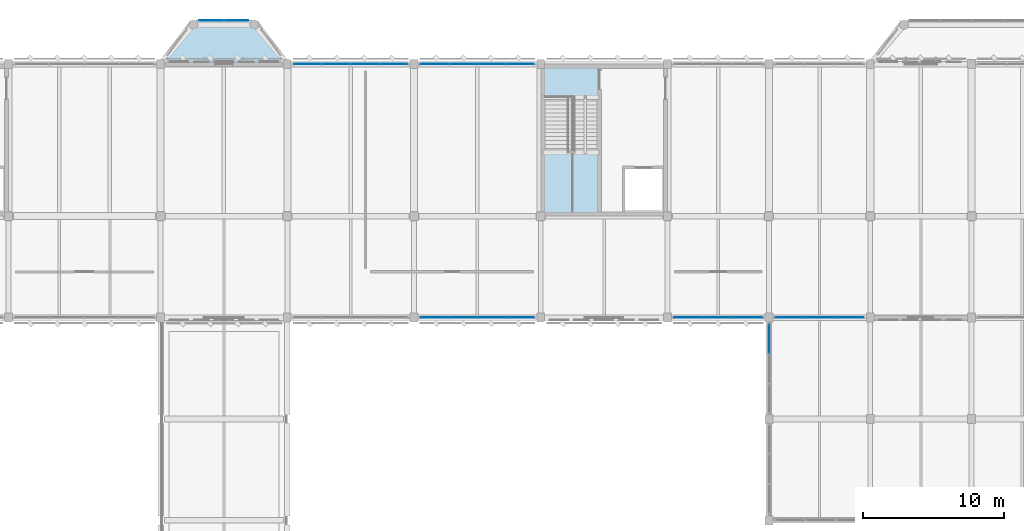
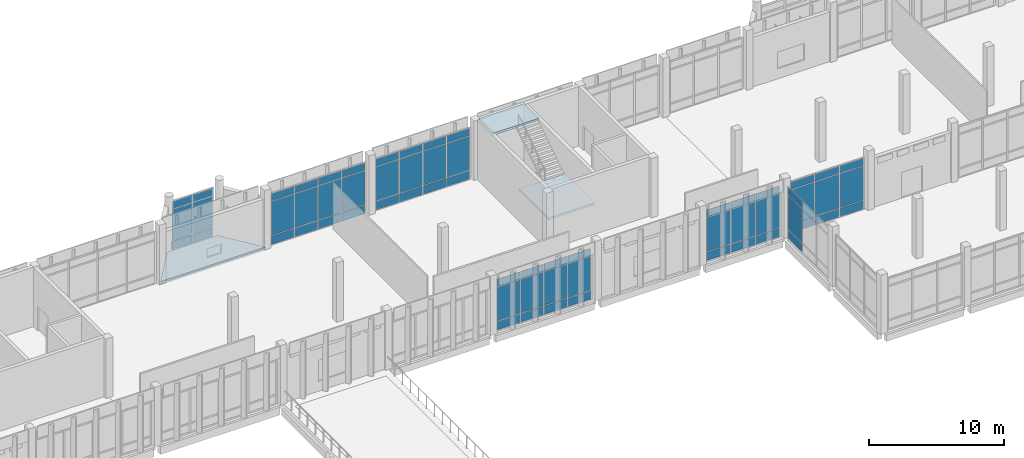
# One storey, part 147 of 180: 63 plates, 3 slabs, 8 elements without a shape of their own.
"""IFC4 building model written with IfcOpenShell, lengths in metres."""

import ifcopenshell
import ifcopenshell.guid

model = None  # the IFC model being written
_history = None  # IfcOwnerHistory: only IFC2X3 demands one
_inside = {}  # id of a spatial element -> (the spatial element, [elements in it])
_under = {}  # id of a project, library or spatial element -> (it, [spatial elements below it])
_declared = {}  # id of a project -> (the project, [libraries it declares])
_typed = {}  # id of a type object -> (the type object, [elements of that type])
_made_of = {}  # id of a material, layer set ... -> (it, [elements and type objects made of it])


def new_model(schema):
    """Start an empty IFC model of exactly this schema.

    Asked for "IFC4X3", IfcOpenShell would pick the latest addendum, in which some entities
    have other attributes; the version numbers below select the first issue.
    IFC2X3 requires an IfcOwnerHistory on every rooted entity: one is made here for all.
    """
    global model, _history
    if schema == "IFC4X3":
        model = ifcopenshell.file(schema_version=(4, 3, 0, 0))
    else:
        model = ifcopenshell.file(schema=schema)
    _inside.clear()
    _under.clear()
    _declared.clear()
    _typed.clear()
    _made_of.clear()
    _history = None
    if model.schema == "IFC2X3":
        org = make("IfcOrganization", Name="unknown")
        user = make(
            "IfcPersonAndOrganization",
            ThePerson=make("IfcPerson", FamilyName="unknown"),
            TheOrganization=org,
        )
        app = make(
            "IfcApplication",
            ApplicationDeveloper=org,
            Version="unknown",
            ApplicationFullName="unknown",
            ApplicationIdentifier="unknown",
        )
        _history = make(
            "IfcOwnerHistory",
            OwningUser=user,
            OwningApplication=app,
            ChangeAction="ADDED",
            CreationDate=0,
        )
    return model


def make(cls, **values):
    """One entity of the class cls with the attributes given. An attribute that is None is left unset."""
    return model.create_entity(
        cls, **{name: value for name, value in values.items() if value is not None}
    )


def rooted(cls, **values):
    """An entity with a GlobalId (a new one), such as an element, a storey or a relation."""
    return make(cls, GlobalId=ifcopenshell.guid.new(), OwnerHistory=_history, **values)


def si_unit(unit_type, name, prefix=None):
    """IfcSIUnit, for example si_unit("LENGTHUNIT", "METRE", prefix="MILLI")."""
    return make("IfcSIUnit", UnitType=unit_type, Prefix=prefix, Name=name)


def assignment(units):
    """IfcUnitAssignment: the units of a project."""
    return None if units is None else make("IfcUnitAssignment", Units=units)


def point(xyz):
    """IfcCartesianPoint."""
    return None if xyz is None else make("IfcCartesianPoint", Coordinates=xyz)


def direction(xyz):
    """IfcDirection."""
    return None if xyz is None else make("IfcDirection", DirectionRatios=xyz)


def frame(location, z_axis=None, x_axis=None):
    """IfcAxis2Placement3D, a coordinate frame: its origin and axes. An axis left out is left unset."""
    return make(
        "IfcAxis2Placement3D",
        Location=point(location),
        Axis=direction(z_axis),
        RefDirection=direction(x_axis),
    )


def frame_2d(location, x_axis=None):
    """IfcAxis2Placement2D, a coordinate frame in the plane: its origin and x axis."""
    return make(
        "IfcAxis2Placement2D", Location=point(location), RefDirection=direction(x_axis)
    )


def origin():
    """The frame at (0, 0, 0) with its axes left unset."""
    return frame((0.0, 0.0, 0.0))


def origin_2d():
    """The frame at (0, 0) in the plane with its x axis left unset."""
    return frame_2d((0.0, 0.0))


def place(relative_to, where):
    """IfcLocalPlacement: puts the frame where relative to a parent placement (None: the world)."""
    return make(
        "IfcLocalPlacement", PlacementRelTo=relative_to, RelativePlacement=where
    )


def context(
    kind, dimensions, precision=None, world=None, true_north=None, identifier=None
):
    """IfcGeometricRepresentationContext, for example the 3D "Model" context."""
    return make(
        "IfcGeometricRepresentationContext",
        ContextIdentifier=identifier,
        ContextType=kind,
        CoordinateSpaceDimension=dimensions,
        Precision=precision,
        WorldCoordinateSystem=world,
        TrueNorth=true_north,
    )


def subcontext(parent, identifier, kind, view, scale=None):
    """IfcGeometricRepresentationSubContext, for example "Body" below "Model"."""
    return make(
        "IfcGeometricRepresentationSubContext",
        ContextIdentifier=identifier,
        ContextType=kind,
        ParentContext=parent,
        TargetScale=scale,
        TargetView=view,
    )


def project(units=None, contexts=None):
    """IfcProject with its units and contexts."""
    return rooted(
        "IfcProject",
        Name="project",
        RepresentationContexts=contexts,
        UnitsInContext=assignment(units),
    )


def spatial(cls, under=None, at=None, **own):
    """A site, building, storey or space (cls), placed at a placement, below another one or the project."""
    s = rooted(cls, ObjectPlacement=at, **own)
    if under is not None:
        _under.setdefault(under.id(), (under, []))[1].append(s)
    return s


def polyline(points):
    """IfcPolyline through the points."""
    return make("IfcPolyline", Points=[point(p) for p in points])


def profile(cls, at=None, kind="AREA", **sizes):
    """A parametric profile (cls). Its sizes go by their IFC names, for example OverallWidth=200.0."""
    return make(cls, ProfileType=kind, Position=at, **sizes)


def rectangle(**sizes):
    """IfcRectangleProfileDef."""
    return profile("IfcRectangleProfileDef", **sizes)


def outline(outer, holes=None, kind="AREA"):
    """IfcArbitraryClosedProfileDef: a profile drawn as a closed curve; with holes, ...WithVoids."""
    if holes is None:
        return make("IfcArbitraryClosedProfileDef", ProfileType=kind, OuterCurve=outer)
    return make(
        "IfcArbitraryProfileDefWithVoids",
        ProfileType=kind,
        OuterCurve=outer,
        InnerCurves=holes,
    )


def extrude(swept, where, along, depth):
    """IfcExtrudedAreaSolid: the profile swept, set in the frame where, extruded along a direction by depth."""
    return make(
        "IfcExtrudedAreaSolid",
        SweptArea=swept,
        Position=where,
        ExtrudedDirection=direction(along),
        Depth=depth,
    )


def shape(context_of_items, identifier, shape_type, items):
    """IfcShapeRepresentation: the items that make up one representation, for example the "Body"."""
    return make(
        "IfcShapeRepresentation",
        ContextOfItems=context_of_items,
        RepresentationIdentifier=identifier,
        RepresentationType=shape_type,
        Items=items,
    )


def material(Name=None, Category=None):
    """IfcMaterial."""
    return make("IfcMaterial", Name=Name, Category=Category)


def layer(
    of_material, thickness, ventilated=None, Name=None, Category=None, Priority=None
):
    """IfcMaterialLayer: one layer of a wall or slab, of a material (None: an air gap)."""
    return make(
        "IfcMaterialLayer",
        Material=of_material,
        LayerThickness=thickness,
        IsVentilated=ventilated,
        Name=Name,
        Category=Category,
        Priority=Priority,
    )


def layer_set(layers, Name=None):
    """IfcMaterialLayerSet."""
    return make("IfcMaterialLayerSet", MaterialLayers=layers, LayerSetName=Name)


def made_of(thing, what):
    """Note that an element or type object is made of a material, layer set ...; save() writes the relation."""
    if what is not None:
        _made_of.setdefault(what.id(), (what, []))[1].append(thing)
    return thing


def type_object(cls, material=None, **own):
    """A type object (cls), such as IfcWallType, which elements share."""
    return made_of(rooted(cls, **own), material)


def element(
    cls,
    number,
    at=None,
    inside=None,
    cuts=None,
    type_object=None,
    material=None,
    context=None,
    identifier="Body",
    shape_type=None,
    held_by="IfcProductDefinitionShape",
    body=None,
    shapes=None,
    **own,
):
    """One element of the class cls, such as IfcWall. Its Tag is "e" and its number.

    at: its placement. inside: the storey or other place that contains it. cuts: it is an
    opening in that element (IfcRelVoidsElement). A single representation is given by context,
    identifier, shape_type and body (its items); several are given by shapes. held_by: the class
    of the entity that holds the representations. save() writes the other relations.
    """
    e = rooted(cls, Tag="e%d" % number, ObjectPlacement=at, **own)
    if body is not None:
        shapes = [shape(context, identifier, shape_type, body)]
    if shapes is not None:
        e.Representation = make(held_by, Representations=shapes)
    if inside is not None:
        _inside.setdefault(inside.id(), (inside, []))[1].append(e)
    if cuts is not None:
        rooted(
            "IfcRelVoidsElement", RelatingBuildingElement=cuts, RelatedOpeningElement=e
        )
    if type_object is not None:
        _typed.setdefault(type_object.id(), (type_object, []))[1].append(e)
    return made_of(e, material)


def aggregate(whole, parts):
    """IfcRelAggregates: a whole, such as a stair, and the parts it consists of."""
    return rooted("IfcRelAggregates", RelatingObject=whole, RelatedObjects=parts)


def save(model, path):
    """Write the relations noted so far, then the file.

    IfcRelAggregates (storeys below a building ...), IfcRelContainedInSpatialStructure (elements
    in a storey), IfcRelDefinesByType, IfcRelAssociatesMaterial and IfcRelDeclares: one each for
    every whole, place, type object, material and project.
    """
    for whole, parts in _under.values():
        aggregate(whole, parts)
    for where, things in _inside.values():
        rooted(
            "IfcRelContainedInSpatialStructure",
            RelatedElements=things,
            RelatingStructure=where,
        )
    for kind, things in _typed.values():
        rooted("IfcRelDefinesByType", RelatedObjects=things, RelatingType=kind)
    for what, things in _made_of.values():
        rooted("IfcRelAssociatesMaterial", RelatedObjects=things, RelatingMaterial=what)
    for by, libraries in _declared.values():
        rooted("IfcRelDeclares", RelatingContext=by, RelatedDefinitions=libraries)
    model.write(path)


model = new_model("IFC4")

# Units and contexts
model_context = context("Model", 3, precision=1e-05, world=origin(), true_north=direction((0.0, 1.0)))
body_context = subcontext(model_context, "Body", "Model", "MODEL_VIEW")
ifc_project = project(units=[si_unit("LENGTHUNIT", "METRE"), si_unit("AREAUNIT", "SQUARE_METRE"), si_unit("VOLUMEUNIT", "CUBIC_METRE"), si_unit("PLANEANGLEUNIT", "RADIAN"), si_unit("MASSUNIT", "GRAM", prefix="KILO")], contexts=[model_context])

# Site, building, storey
site_placement = place(None, origin())
site = spatial("IfcSite", under=ifc_project, at=site_placement, CompositionType="ELEMENT")
building_placement = place(site_placement, origin())
building = spatial("IfcBuilding", under=site, at=building_placement, Name="Lusvemor Sports Hall", CompositionType="ELEMENT")
storey_placement = place(building_placement, frame((0.0, 0.0, 5.39990234375)))
storey = spatial("IfcBuildingStorey", under=building, at=storey_placement, Name="L01", CompositionType="ELEMENT", Elevation=5.39990234375)

# Curtain wall, plates
ifc_material_1 = material(Name="Thermally broken bronze-anodized aluminium", Category="aluminium")
curtain_wall_type_1 = type_object("IfcCurtainWallType", Name="CW_WING_B", PredefinedType="NOTDEFINED", material=ifc_material_1)
curtain_wall_1_placement = place(storey_placement, origin())
curtain_wall_1 = element("IfcCurtainWall", 1, at=curtain_wall_1_placement, inside=storey, type_object=curtain_wall_type_1, Name="Curtain Wall CW-L01-N-1-8", PredefinedType="NOTDEFINED")
ifc_material_2 = material(Name="Solar-control laminated double glazing", Category="glass")
ifc_layer_1 = layer(ifc_material_2, 0.028076171875)
ifc_layer_set_1 = layer_set([ifc_layer_1], Name="Solar-control laminated double glazing")
plate_type_1 = type_object("IfcPlateType", Name="CW_PAN_GLZ_28", PredefinedType="CURTAIN_PANEL", material=ifc_layer_set_1)
plate_1_placement = place(storey_placement, frame((86.05615234375, 115.199951171875, 0.880126953125), z_axis=(0.0, 0.0, 1.0), x_axis=(1.0, 0.0, 0.0)))
plate_1 = element("IfcPlate", 2, at=plate_1_placement, type_object=plate_type_1, Name="CW02 panel 1.2", PredefinedType="CURTAIN_PANEL", context=body_context, shape_type="SweptSolid", body=[
    extrude(rectangle(XDim=1.9423828125, YDim=0.028076171875, at=origin_2d()), origin(), (0.0, 0.0, 1.0), 3.06005859375),
])
plate_2_placement = place(storey_placement, frame((86.05615234375, 115.199951171875, 4.0), z_axis=(0.0, 0.0, 1.0), x_axis=(1.0, 0.0, 0.0)))
plate_2 = element("IfcPlate", 3, at=plate_2_placement, type_object=plate_type_1, Name="CW02 panel 1.3", PredefinedType="CURTAIN_PANEL", context=body_context, shape_type="SweptSolid", body=[
    extrude(rectangle(XDim=1.9423828125, YDim=0.028076171875, at=origin_2d()), origin(), (0.0, 0.0, 1.0), 0.659912109375),
])
plate_3_placement = place(storey_placement, frame((88.080078125, 115.199951171875, 0.880126953125), z_axis=(0.0, 0.0, 1.0), x_axis=(1.0, 0.0, 0.0)))
plate_3 = element("IfcPlate", 4, at=plate_3_placement, type_object=plate_type_1, Name="CW02 panel 2.2", PredefinedType="CURTAIN_PANEL", context=body_context, shape_type="SweptSolid", body=[
    extrude(rectangle(XDim=1.97509765625, YDim=0.028076171875, at=origin_2d()), origin(), (0.0, 0.0, 1.0), 3.06005859375),
])
plate_4_placement = place(storey_placement, frame((88.080078125, 115.199951171875, 4.0), z_axis=(0.0, 0.0, 1.0), x_axis=(1.0, 0.0, 0.0)))
plate_4 = element("IfcPlate", 5, at=plate_4_placement, type_object=plate_type_1, Name="CW02 panel 2.3", PredefinedType="CURTAIN_PANEL", context=body_context, shape_type="SweptSolid", body=[
    extrude(rectangle(XDim=1.97509765625, YDim=0.028076171875, at=origin_2d()), origin(), (0.0, 0.0, 1.0), 0.659912109375),
])
plate_5_placement = place(storey_placement, frame((90.1201171875, 115.199951171875, 0.880126953125), z_axis=(0.0, 0.0, 1.0), x_axis=(1.0, 0.0, 0.0)))
plate_5 = element("IfcPlate", 6, at=plate_5_placement, type_object=plate_type_1, Name="CW02 panel 3.2", PredefinedType="CURTAIN_PANEL", context=body_context, shape_type="SweptSolid", body=[
    extrude(rectangle(XDim=1.97509765625, YDim=0.028076171875, at=origin_2d()), origin(), (0.0, 0.0, 1.0), 3.06005859375),
])
plate_6_placement = place(storey_placement, frame((90.1201171875, 115.199951171875, 4.0), z_axis=(0.0, 0.0, 1.0), x_axis=(1.0, 0.0, 0.0)))
plate_6 = element("IfcPlate", 7, at=plate_6_placement, type_object=plate_type_1, Name="CW02 panel 3.3", PredefinedType="CURTAIN_PANEL", context=body_context, shape_type="SweptSolid", body=[
    extrude(rectangle(XDim=1.97509765625, YDim=0.028076171875, at=origin_2d()), origin(), (0.0, 0.0, 1.0), 0.659912109375),
])
plate_7_placement = place(storey_placement, frame((92.143798828125, 115.199951171875, 0.880126953125), z_axis=(0.0, 0.0, 1.0), x_axis=(1.0, 0.0, 0.0)))
plate_7 = element("IfcPlate", 8, at=plate_7_placement, type_object=plate_type_1, Name="CW02 panel 4.2", PredefinedType="CURTAIN_PANEL", context=body_context, shape_type="SweptSolid", body=[
    extrude(rectangle(XDim=1.9423828125, YDim=0.028076171875, at=origin_2d()), origin(), (0.0, 0.0, 1.0), 3.06005859375),
])
plate_8_placement = place(storey_placement, frame((92.143798828125, 115.199951171875, 4.0), z_axis=(0.0, 0.0, 1.0), x_axis=(1.0, 0.0, 0.0)))
plate_8 = element("IfcPlate", 9, at=plate_8_placement, type_object=plate_type_1, Name="CW02 panel 4.3", PredefinedType="CURTAIN_PANEL", context=body_context, shape_type="SweptSolid", body=[
    extrude(rectangle(XDim=1.9423828125, YDim=0.028076171875, at=origin_2d()), origin(), (0.0, 0.0, 1.0), 0.659912109375),
])

curtain_wall_2_placement = place(storey_placement, origin())
curtain_wall_2 = element("IfcCurtainWall", 10, at=curtain_wall_2_placement, inside=storey, type_object=curtain_wall_type_1, Name="Curtain Wall CW-L01-N-1-9", PredefinedType="NOTDEFINED")
plate_9_placement = place(storey_placement, frame((95.05615234375, 115.199951171875, 0.880126953125), z_axis=(0.0, 0.0, 1.0), x_axis=(1.0, 0.0, 0.0)))
plate_9 = element("IfcPlate", 11, at=plate_9_placement, type_object=plate_type_1, Name="CW02 panel 1.2", PredefinedType="CURTAIN_PANEL", context=body_context, shape_type="SweptSolid", body=[
    extrude(rectangle(XDim=1.9423828125, YDim=0.028076171875, at=origin_2d()), origin(), (0.0, 0.0, 1.0), 3.06005859375),
])
plate_10_placement = place(storey_placement, frame((95.05615234375, 115.199951171875, 4.0), z_axis=(0.0, 0.0, 1.0), x_axis=(1.0, 0.0, 0.0)))
plate_10 = element("IfcPlate", 12, at=plate_10_placement, type_object=plate_type_1, Name="CW02 panel 1.3", PredefinedType="CURTAIN_PANEL", context=body_context, shape_type="SweptSolid", body=[
    extrude(rectangle(XDim=1.9423828125, YDim=0.028076171875, at=origin_2d()), origin(), (0.0, 0.0, 1.0), 0.659912109375),
])
plate_11_placement = place(storey_placement, frame((97.080078125, 115.199951171875, 0.880126953125), z_axis=(0.0, 0.0, 1.0), x_axis=(1.0, 0.0, 0.0)))
plate_11 = element("IfcPlate", 13, at=plate_11_placement, type_object=plate_type_1, Name="CW02 panel 2.2", PredefinedType="CURTAIN_PANEL", context=body_context, shape_type="SweptSolid", body=[
    extrude(rectangle(XDim=1.97509765625, YDim=0.028076171875, at=origin_2d()), origin(), (0.0, 0.0, 1.0), 3.06005859375),
])
plate_12_placement = place(storey_placement, frame((97.080078125, 115.199951171875, 4.0), z_axis=(0.0, 0.0, 1.0), x_axis=(1.0, 0.0, 0.0)))
plate_12 = element("IfcPlate", 14, at=plate_12_placement, type_object=plate_type_1, Name="CW02 panel 2.3", PredefinedType="CURTAIN_PANEL", context=body_context, shape_type="SweptSolid", body=[
    extrude(rectangle(XDim=1.97509765625, YDim=0.028076171875, at=origin_2d()), origin(), (0.0, 0.0, 1.0), 0.659912109375),
])
plate_13_placement = place(storey_placement, frame((99.1201171875, 115.199951171875, 0.880126953125), z_axis=(0.0, 0.0, 1.0), x_axis=(1.0, 0.0, 0.0)))
plate_13 = element("IfcPlate", 15, at=plate_13_placement, type_object=plate_type_1, Name="CW02 panel 3.2", PredefinedType="CURTAIN_PANEL", context=body_context, shape_type="SweptSolid", body=[
    extrude(rectangle(XDim=1.97509765625, YDim=0.028076171875, at=origin_2d()), origin(), (0.0, 0.0, 1.0), 3.06005859375),
])
plate_14_placement = place(storey_placement, frame((99.1201171875, 115.199951171875, 4.0), z_axis=(0.0, 0.0, 1.0), x_axis=(1.0, 0.0, 0.0)))
plate_14 = element("IfcPlate", 16, at=plate_14_placement, type_object=plate_type_1, Name="CW02 panel 3.3", PredefinedType="CURTAIN_PANEL", context=body_context, shape_type="SweptSolid", body=[
    extrude(rectangle(XDim=1.97509765625, YDim=0.028076171875, at=origin_2d()), origin(), (0.0, 0.0, 1.0), 0.659912109375),
])
plate_15_placement = place(storey_placement, frame((101.143798828125, 115.199951171875, 0.880126953125), z_axis=(0.0, 0.0, 1.0), x_axis=(1.0, 0.0, 0.0)))
plate_15 = element("IfcPlate", 17, at=plate_15_placement, type_object=plate_type_1, Name="CW02 panel 4.2", PredefinedType="CURTAIN_PANEL", context=body_context, shape_type="SweptSolid", body=[
    extrude(rectangle(XDim=1.9423828125, YDim=0.028076171875, at=origin_2d()), origin(), (0.0, 0.0, 1.0), 3.06005859375),
])
plate_16_placement = place(storey_placement, frame((101.143798828125, 115.199951171875, 4.0), z_axis=(0.0, 0.0, 1.0), x_axis=(1.0, 0.0, 0.0)))
plate_16 = element("IfcPlate", 18, at=plate_16_placement, type_object=plate_type_1, Name="CW02 panel 4.3", PredefinedType="CURTAIN_PANEL", context=body_context, shape_type="SweptSolid", body=[
    extrude(rectangle(XDim=1.9423828125, YDim=0.028076171875, at=origin_2d()), origin(), (0.0, 0.0, 1.0), 0.659912109375),
])

curtain_wall_3_placement = place(storey_placement, origin())
curtain_wall_3 = element("IfcCurtainWall", 19, at=curtain_wall_3_placement, inside=storey, type_object=curtain_wall_type_1, Name="Curtain Wall CW-L01-S-3-7", PredefinedType="NOTDEFINED")
plate_17_placement = place(storey_placement, frame((101.143798828125, 97.199951171875, 0.880126953125), z_axis=(0.0, 0.0, 1.0), x_axis=(-1.0, 0.0, 0.0)))
plate_17 = element("IfcPlate", 20, at=plate_17_placement, type_object=plate_type_1, Name="CW02 panel 1.2", PredefinedType="CURTAIN_PANEL", context=body_context, shape_type="SweptSolid", body=[
    extrude(rectangle(XDim=1.9423828125, YDim=0.028076171875, at=origin_2d()), origin(), (0.0, 0.0, 1.0), 3.06005859375),
])
plate_18_placement = place(storey_placement, frame((101.143798828125, 97.199951171875, 4.0), z_axis=(0.0, 0.0, 1.0), x_axis=(-1.0, 0.0, 0.0)))
plate_18 = element("IfcPlate", 21, at=plate_18_placement, type_object=plate_type_1, Name="CW02 panel 1.3", PredefinedType="CURTAIN_PANEL", context=body_context, shape_type="SweptSolid", body=[
    extrude(rectangle(XDim=1.9423828125, YDim=0.028076171875, at=origin_2d()), origin(), (0.0, 0.0, 1.0), 0.659912109375),
])
plate_19_placement = place(storey_placement, frame((99.1201171875, 97.199951171875, 0.880126953125), z_axis=(0.0, 0.0, 1.0), x_axis=(-1.0, 0.0, 0.0)))
plate_19 = element("IfcPlate", 22, at=plate_19_placement, type_object=plate_type_1, Name="CW02 panel 2.2", PredefinedType="CURTAIN_PANEL", context=body_context, shape_type="SweptSolid", body=[
    extrude(rectangle(XDim=1.97509765625, YDim=0.028076171875, at=origin_2d()), origin(), (0.0, 0.0, 1.0), 3.06005859375),
])
plate_20_placement = place(storey_placement, frame((99.1201171875, 97.199951171875, 4.0), z_axis=(0.0, 0.0, 1.0), x_axis=(-1.0, 0.0, 0.0)))
plate_20 = element("IfcPlate", 23, at=plate_20_placement, type_object=plate_type_1, Name="CW02 panel 2.3", PredefinedType="CURTAIN_PANEL", context=body_context, shape_type="SweptSolid", body=[
    extrude(rectangle(XDim=1.97509765625, YDim=0.028076171875, at=origin_2d()), origin(), (0.0, 0.0, 1.0), 0.659912109375),
])
plate_21_placement = place(storey_placement, frame((97.080078125, 97.199951171875, 0.880126953125), z_axis=(0.0, 0.0, 1.0), x_axis=(-1.0, 0.0, 0.0)))
plate_21 = element("IfcPlate", 24, at=plate_21_placement, type_object=plate_type_1, Name="CW02 panel 3.2", PredefinedType="CURTAIN_PANEL", context=body_context, shape_type="SweptSolid", body=[
    extrude(rectangle(XDim=1.97509765625, YDim=0.028076171875, at=origin_2d()), origin(), (0.0, 0.0, 1.0), 3.06005859375),
])
plate_22_placement = place(storey_placement, frame((97.080078125, 97.199951171875, 4.0), z_axis=(0.0, 0.0, 1.0), x_axis=(-1.0, 0.0, 0.0)))
plate_22 = element("IfcPlate", 25, at=plate_22_placement, type_object=plate_type_1, Name="CW02 panel 3.3", PredefinedType="CURTAIN_PANEL", context=body_context, shape_type="SweptSolid", body=[
    extrude(rectangle(XDim=1.97509765625, YDim=0.028076171875, at=origin_2d()), origin(), (0.0, 0.0, 1.0), 0.659912109375),
])
plate_23_placement = place(storey_placement, frame((95.05615234375, 97.199951171875, 0.880126953125), z_axis=(0.0, 0.0, 1.0), x_axis=(-1.0, 0.0, 0.0)))
plate_23 = element("IfcPlate", 26, at=plate_23_placement, type_object=plate_type_1, Name="CW02 panel 4.2", PredefinedType="CURTAIN_PANEL", context=body_context, shape_type="SweptSolid", body=[
    extrude(rectangle(XDim=1.9423828125, YDim=0.028076171875, at=origin_2d()), origin(), (0.0, 0.0, 1.0), 3.06005859375),
])
plate_24_placement = place(storey_placement, frame((95.05615234375, 97.199951171875, 4.0), z_axis=(0.0, 0.0, 1.0), x_axis=(-1.0, 0.0, 0.0)))
plate_24 = element("IfcPlate", 27, at=plate_24_placement, type_object=plate_type_1, Name="CW02 panel 4.3", PredefinedType="CURTAIN_PANEL", context=body_context, shape_type="SweptSolid", body=[
    extrude(rectangle(XDim=1.9423828125, YDim=0.028076171875, at=origin_2d()), origin(), (0.0, 0.0, 1.0), 0.659912109375),
])

curtain_wall_4_placement = place(storey_placement, origin())
curtain_wall_4 = element("IfcCurtainWall", 28, at=curtain_wall_4_placement, inside=storey, type_object=curtain_wall_type_1, Name="Curtain Wall CW-L01-S-3-9", PredefinedType="NOTDEFINED")
plate_25_placement = place(storey_placement, frame((117.3037109375, 97.199951171875, 0.880126953125), z_axis=(0.0, 0.0, 1.0), x_axis=(-1.0, 0.0, 0.0)))
plate_25 = element("IfcPlate", 29, at=plate_25_placement, type_object=plate_type_1, Name="CW02 panel 1.2", PredefinedType="CURTAIN_PANEL", context=body_context, shape_type="SweptSolid", body=[
    extrude(rectangle(XDim=2.0224609375, YDim=0.028076171875, at=origin_2d()), origin(), (0.0, 0.0, 1.0), 3.06005859375),
])
plate_26_placement = place(storey_placement, frame((117.3037109375, 97.199951171875, 4.0), z_axis=(0.0, 0.0, 1.0), x_axis=(-1.0, 0.0, 0.0)))
plate_26 = element("IfcPlate", 30, at=plate_26_placement, type_object=plate_type_1, Name="CW02 panel 1.3", PredefinedType="CURTAIN_PANEL", context=body_context, shape_type="SweptSolid", body=[
    extrude(rectangle(XDim=2.0224609375, YDim=0.028076171875, at=origin_2d()), origin(), (0.0, 0.0, 1.0), 0.659912109375),
])
plate_27_placement = place(storey_placement, frame((115.199951171875, 97.199951171875, 0.880126953125), z_axis=(0.0, 0.0, 1.0), x_axis=(-1.0, 0.0, 0.0)))
plate_27 = element("IfcPlate", 31, at=plate_27_placement, type_object=plate_type_1, Name="CW02 panel 2.2", PredefinedType="CURTAIN_PANEL", context=body_context, shape_type="SweptSolid", body=[
    extrude(rectangle(XDim=2.054931640625, YDim=0.028076171875, at=origin_2d()), origin(), (0.0, 0.0, 1.0), 3.06005859375),
])
plate_28_placement = place(storey_placement, frame((115.199951171875, 97.199951171875, 4.0), z_axis=(0.0, 0.0, 1.0), x_axis=(-1.0, 0.0, 0.0)))
plate_28 = element("IfcPlate", 32, at=plate_28_placement, type_object=plate_type_1, Name="CW02 panel 2.3", PredefinedType="CURTAIN_PANEL", context=body_context, shape_type="SweptSolid", body=[
    extrude(rectangle(XDim=2.054931640625, YDim=0.028076171875, at=origin_2d()), origin(), (0.0, 0.0, 1.0), 0.659912109375),
])
plate_29_placement = place(storey_placement, frame((113.09619140625, 97.199951171875, 0.880126953125), z_axis=(0.0, 0.0, 1.0), x_axis=(-1.0, 0.0, 0.0)))
plate_29 = element("IfcPlate", 33, at=plate_29_placement, type_object=plate_type_1, Name="CW02 panel 3.2", PredefinedType="CURTAIN_PANEL", context=body_context, shape_type="SweptSolid", body=[
    extrude(rectangle(XDim=2.0224609375, YDim=0.028076171875, at=origin_2d()), origin(), (0.0, 0.0, 1.0), 3.06005859375),
])
plate_30_placement = place(storey_placement, frame((113.09619140625, 97.199951171875, 4.0), z_axis=(0.0, 0.0, 1.0), x_axis=(-1.0, 0.0, 0.0)))
plate_30 = element("IfcPlate", 34, at=plate_30_placement, type_object=plate_type_1, Name="CW02 panel 3.3", PredefinedType="CURTAIN_PANEL", context=body_context, shape_type="SweptSolid", body=[
    extrude(rectangle(XDim=2.0224609375, YDim=0.028076171875, at=origin_2d()), origin(), (0.0, 0.0, 1.0), 0.659912109375),
])

curtain_wall_5_placement = place(storey_placement, origin())
curtain_wall_5 = element("IfcCurtainWall", 35, at=curtain_wall_5_placement, inside=storey, type_object=curtain_wall_type_1, Name="Curtain Wall CW-L01-S-3-10", PredefinedType="NOTDEFINED")
plate_31_placement = place(storey_placement, frame((124.503662109375, 97.199951171875, 0.880126953125), z_axis=(0.0, 0.0, 1.0), x_axis=(-1.0, 0.0, 0.0)))
plate_31 = element("IfcPlate", 36, at=plate_31_placement, type_object=plate_type_1, Name="CW02 panel 1.2", PredefinedType="CURTAIN_PANEL", context=body_context, shape_type="SweptSolid", body=[
    extrude(rectangle(XDim=2.0224609375, YDim=0.028076171875, at=origin_2d()), origin(), (0.0, 0.0, 1.0), 3.06005859375),
])
plate_32_placement = place(storey_placement, frame((124.503662109375, 97.199951171875, 4.0), z_axis=(0.0, 0.0, 1.0), x_axis=(-1.0, 0.0, 0.0)))
plate_32 = element("IfcPlate", 37, at=plate_32_placement, type_object=plate_type_1, Name="CW02 panel 1.3", PredefinedType="CURTAIN_PANEL", context=body_context, shape_type="SweptSolid", body=[
    extrude(rectangle(XDim=2.0224609375, YDim=0.028076171875, at=origin_2d()), origin(), (0.0, 0.0, 1.0), 0.659912109375),
])
plate_33_placement = place(storey_placement, frame((122.39990234375, 97.199951171875, 0.880126953125), z_axis=(0.0, 0.0, 1.0), x_axis=(-1.0, 0.0, 0.0)))
plate_33 = element("IfcPlate", 38, at=plate_33_placement, type_object=plate_type_1, Name="CW02 panel 2.2", PredefinedType="CURTAIN_PANEL", context=body_context, shape_type="SweptSolid", body=[
    extrude(rectangle(XDim=2.054931640625, YDim=0.028076171875, at=origin_2d()), origin(), (0.0, 0.0, 1.0), 3.06005859375),
])
plate_34_placement = place(storey_placement, frame((122.39990234375, 97.199951171875, 4.0), z_axis=(0.0, 0.0, 1.0), x_axis=(-1.0, 0.0, 0.0)))
plate_34 = element("IfcPlate", 39, at=plate_34_placement, type_object=plate_type_1, Name="CW02 panel 2.3", PredefinedType="CURTAIN_PANEL", context=body_context, shape_type="SweptSolid", body=[
    extrude(rectangle(XDim=2.054931640625, YDim=0.028076171875, at=origin_2d()), origin(), (0.0, 0.0, 1.0), 0.659912109375),
])
plate_35_placement = place(storey_placement, frame((120.296142578125, 97.199951171875, 0.880126953125), z_axis=(0.0, 0.0, 1.0), x_axis=(-1.0, 0.0, 0.0)))
plate_35 = element("IfcPlate", 40, at=plate_35_placement, type_object=plate_type_1, Name="CW02 panel 3.2", PredefinedType="CURTAIN_PANEL", context=body_context, shape_type="SweptSolid", body=[
    extrude(rectangle(XDim=2.0224609375, YDim=0.028076171875, at=origin_2d()), origin(), (0.0, 0.0, 1.0), 3.06005859375),
])
plate_36_placement = place(storey_placement, frame((120.296142578125, 97.199951171875, 4.0), z_axis=(0.0, 0.0, 1.0), x_axis=(-1.0, 0.0, 0.0)))
plate_36 = element("IfcPlate", 41, at=plate_36_placement, type_object=plate_type_1, Name="CW02 panel 3.3", PredefinedType="CURTAIN_PANEL", context=body_context, shape_type="SweptSolid", body=[
    extrude(rectangle(XDim=2.0224609375, YDim=0.028076171875, at=origin_2d()), origin(), (0.0, 0.0, 1.0), 0.659912109375),
])

ifc_material_3 = material(Name="Thermally broken bronze-anodized aluminium", Category="aluminium")
curtain_wall_type_2 = type_object("IfcCurtainWallType", Name="CW_FOYER_A", PredefinedType="NOTDEFINED", material=ifc_material_3)
curtain_wall_6_placement = place(storey_placement, origin())
curtain_wall_6 = element("IfcCurtainWall", 42, at=curtain_wall_6_placement, inside=storey, type_object=curtain_wall_type_2, Name="Curtain Wall CW-BOW-N2-L01-M", PredefinedType="NOTDEFINED")
plate_37_placement = place(storey_placement, frame((79.21240234375, 118.300048828125, 0.882568359375), z_axis=(0.0, 0.0, 1.0), x_axis=(1.0, 0.0, 0.0)))
plate_37 = element("IfcPlate", 43, at=plate_37_placement, type_object=plate_type_1, Name="CW01 panel 1.2", PredefinedType="CURTAIN_PANEL", context=body_context, shape_type="SweptSolid", body=[
    extrude(rectangle(XDim=1.705078125, YDim=0.028076171875, at=origin_2d()), origin(), (0.0, 0.0, 1.0), 2.81494140625),
])
plate_38_placement = place(storey_placement, frame((79.21240234375, 118.300048828125, 3.7626953125), z_axis=(0.0, 0.0, 1.0), x_axis=(1.0, 0.0, 0.0)))
plate_38 = element("IfcPlate", 44, at=plate_38_placement, type_object=plate_type_1, Name="CW01 panel 1.3", PredefinedType="CURTAIN_PANEL", context=body_context, shape_type="SweptSolid", body=[
    extrude(rectangle(XDim=1.705078125, YDim=0.028076171875, at=origin_2d()), origin(), (0.0, 0.0, 1.0), 0.652587890625),
])
plate_39_placement = place(storey_placement, frame((80.987548828125, 118.300048828125, 0.882568359375), z_axis=(0.0, 0.0, 1.0), x_axis=(1.0, 0.0, 0.0)))
plate_39 = element("IfcPlate", 45, at=plate_39_placement, type_object=plate_type_1, Name="CW01 panel 2.2", PredefinedType="CURTAIN_PANEL", context=body_context, shape_type="SweptSolid", body=[
    extrude(rectangle(XDim=1.705078125, YDim=0.028076171875, at=origin_2d()), origin(), (0.0, 0.0, 1.0), 2.81494140625),
])
plate_40_placement = place(storey_placement, frame((80.987548828125, 118.300048828125, 3.7626953125), z_axis=(0.0, 0.0, 1.0), x_axis=(1.0, 0.0, 0.0)))
plate_40 = element("IfcPlate", 46, at=plate_40_placement, type_object=plate_type_1, Name="CW01 panel 2.3", PredefinedType="CURTAIN_PANEL", context=body_context, shape_type="SweptSolid", body=[
    extrude(rectangle(XDim=1.705078125, YDim=0.028076171875, at=origin_2d()), origin(), (0.0, 0.0, 1.0), 0.652587890625),
])

curtain_wall_7_placement = place(storey_placement, origin())
curtain_wall_7 = element("IfcCurtainWall", 47, at=curtain_wall_7_placement, inside=storey, type_object=curtain_wall_type_1, Name="Curtain Wall CW-V5NE-W-L01-B", PredefinedType="NOTDEFINED")
plate_41_placement = place(storey_placement, frame((118.800048828125, 95.675537109375, 0.880126953125), z_axis=(0.0, 0.0, 1.0), x_axis=(0.0, 1.0, 0.0)))
plate_41 = element("IfcPlate", 48, at=plate_41_placement, type_object=plate_type_1, Name="CW02 panel 3.2", PredefinedType="CURTAIN_PANEL", context=body_context, shape_type="SweptSolid", body=[
    extrude(rectangle(XDim=2.0390625, YDim=0.028076171875, at=origin_2d()), origin(), (0.0, 0.0, 1.0), 3.0400390625),
])
plate_42_placement = place(storey_placement, frame((118.800048828125, 95.675537109375, 3.97998046875), z_axis=(0.0, 0.0, 1.0), x_axis=(0.0, 1.0, 0.0)))
plate_42 = element("IfcPlate", 49, at=plate_42_placement, type_object=plate_type_1, Name="CW02 panel 3.3", PredefinedType="CURTAIN_PANEL", context=body_context, shape_type="SweptSolid", body=[
    extrude(rectangle(XDim=2.0390625, YDim=0.028076171875, at=origin_2d()), origin(), (0.0, 0.0, 1.0), 0.659912109375),
])

# Plate
ifc_material_4 = material(Name="Emerald polychrome glazed ceramic cladding on Concrete C40/50 backing", Category="concrete")
ifc_layer_2 = layer(ifc_material_4, 0.048095703125)
ifc_layer_set_2 = layer_set([ifc_layer_2], Name="Emerald polychrome glazed ceramic cladding on Concrete C40/50 backing")
plate_type_2 = type_object("IfcPlateType", Name="CW_PAN_SPN_48", PredefinedType="CURTAIN_PANEL", material=ifc_layer_set_2)
plate_43_placement = place(storey_placement, frame((86.05615234375, 115.199951171875, 0.06005859375), z_axis=(0.0, 0.0, 1.0), x_axis=(1.0, 0.0, 0.0)))
plate_43 = element("IfcPlate", 50, at=plate_43_placement, type_object=plate_type_2, Name="CW02 panel 1.1", PredefinedType="CURTAIN_PANEL", context=body_context, shape_type="SweptSolid", body=[
    extrude(rectangle(XDim=1.9423828125, YDim=0.048095703125, at=origin_2d()), origin(), (0.0, 0.0, 1.0), 0.760009765625),
])

plate_44_placement = place(storey_placement, frame((88.080078125, 115.199951171875, 0.06005859375), z_axis=(0.0, 0.0, 1.0), x_axis=(1.0, 0.0, 0.0)))
plate_44 = element("IfcPlate", 51, at=plate_44_placement, type_object=plate_type_2, Name="CW02 panel 2.1", PredefinedType="CURTAIN_PANEL", context=body_context, shape_type="SweptSolid", body=[
    extrude(rectangle(XDim=1.97509765625, YDim=0.048095703125, at=origin_2d()), origin(), (0.0, 0.0, 1.0), 0.760009765625),
])

plate_45_placement = place(storey_placement, frame((90.1201171875, 115.199951171875, 0.06005859375), z_axis=(0.0, 0.0, 1.0), x_axis=(1.0, 0.0, 0.0)))
plate_45 = element("IfcPlate", 52, at=plate_45_placement, type_object=plate_type_2, Name="CW02 panel 3.1", PredefinedType="CURTAIN_PANEL", context=body_context, shape_type="SweptSolid", body=[
    extrude(rectangle(XDim=1.97509765625, YDim=0.048095703125, at=origin_2d()), origin(), (0.0, 0.0, 1.0), 0.760009765625),
])

plate_46_placement = place(storey_placement, frame((92.143798828125, 115.199951171875, 0.06005859375), z_axis=(0.0, 0.0, 1.0), x_axis=(1.0, 0.0, 0.0)))
plate_46 = element("IfcPlate", 53, at=plate_46_placement, type_object=plate_type_2, Name="CW02 panel 4.1", PredefinedType="CURTAIN_PANEL", context=body_context, shape_type="SweptSolid", body=[
    extrude(rectangle(XDim=1.9423828125, YDim=0.048095703125, at=origin_2d()), origin(), (0.0, 0.0, 1.0), 0.760009765625),
])

aggregate(curtain_wall_1, [plate_43, plate_1, plate_2, plate_44, plate_3, plate_4, plate_45, plate_5, plate_6, plate_46, plate_7, plate_8])

plate_47_placement = place(storey_placement, frame((95.05615234375, 115.199951171875, 0.06005859375), z_axis=(0.0, 0.0, 1.0), x_axis=(1.0, 0.0, 0.0)))
plate_47 = element("IfcPlate", 54, at=plate_47_placement, type_object=plate_type_2, Name="CW02 panel 1.1", PredefinedType="CURTAIN_PANEL", context=body_context, shape_type="SweptSolid", body=[
    extrude(rectangle(XDim=1.9423828125, YDim=0.048095703125, at=origin_2d()), origin(), (0.0, 0.0, 1.0), 0.760009765625),
])

plate_48_placement = place(storey_placement, frame((97.080078125, 115.199951171875, 0.06005859375), z_axis=(0.0, 0.0, 1.0), x_axis=(1.0, 0.0, 0.0)))
plate_48 = element("IfcPlate", 55, at=plate_48_placement, type_object=plate_type_2, Name="CW02 panel 2.1", PredefinedType="CURTAIN_PANEL", context=body_context, shape_type="SweptSolid", body=[
    extrude(rectangle(XDim=1.97509765625, YDim=0.048095703125, at=origin_2d()), origin(), (0.0, 0.0, 1.0), 0.760009765625),
])

plate_49_placement = place(storey_placement, frame((99.1201171875, 115.199951171875, 0.06005859375), z_axis=(0.0, 0.0, 1.0), x_axis=(1.0, 0.0, 0.0)))
plate_49 = element("IfcPlate", 56, at=plate_49_placement, type_object=plate_type_2, Name="CW02 panel 3.1", PredefinedType="CURTAIN_PANEL", context=body_context, shape_type="SweptSolid", body=[
    extrude(rectangle(XDim=1.97509765625, YDim=0.048095703125, at=origin_2d()), origin(), (0.0, 0.0, 1.0), 0.760009765625),
])

plate_50_placement = place(storey_placement, frame((101.143798828125, 115.199951171875, 0.06005859375), z_axis=(0.0, 0.0, 1.0), x_axis=(1.0, 0.0, 0.0)))
plate_50 = element("IfcPlate", 57, at=plate_50_placement, type_object=plate_type_2, Name="CW02 panel 4.1", PredefinedType="CURTAIN_PANEL", context=body_context, shape_type="SweptSolid", body=[
    extrude(rectangle(XDim=1.9423828125, YDim=0.048095703125, at=origin_2d()), origin(), (0.0, 0.0, 1.0), 0.760009765625),
])

aggregate(curtain_wall_2, [plate_47, plate_9, plate_10, plate_48, plate_11, plate_12, plate_49, plate_13, plate_14, plate_50, plate_15, plate_16])

plate_51_placement = place(storey_placement, frame((101.143798828125, 97.199951171875, 0.06005859375), z_axis=(0.0, 0.0, 1.0), x_axis=(-1.0, 0.0, 0.0)))
plate_51 = element("IfcPlate", 58, at=plate_51_placement, type_object=plate_type_2, Name="CW02 panel 1.1", PredefinedType="CURTAIN_PANEL", context=body_context, shape_type="SweptSolid", body=[
    extrude(rectangle(XDim=1.9423828125, YDim=0.048095703125, at=origin_2d()), origin(), (0.0, 0.0, 1.0), 0.760009765625),
])

plate_52_placement = place(storey_placement, frame((99.1201171875, 97.199951171875, 0.06005859375), z_axis=(0.0, 0.0, 1.0), x_axis=(-1.0, 0.0, 0.0)))
plate_52 = element("IfcPlate", 59, at=plate_52_placement, type_object=plate_type_2, Name="CW02 panel 2.1", PredefinedType="CURTAIN_PANEL", context=body_context, shape_type="SweptSolid", body=[
    extrude(rectangle(XDim=1.97509765625, YDim=0.048095703125, at=origin_2d()), origin(), (0.0, 0.0, 1.0), 0.760009765625),
])

plate_53_placement = place(storey_placement, frame((97.080078125, 97.199951171875, 0.06005859375), z_axis=(0.0, 0.0, 1.0), x_axis=(-1.0, 0.0, 0.0)))
plate_53 = element("IfcPlate", 60, at=plate_53_placement, type_object=plate_type_2, Name="CW02 panel 3.1", PredefinedType="CURTAIN_PANEL", context=body_context, shape_type="SweptSolid", body=[
    extrude(rectangle(XDim=1.97509765625, YDim=0.048095703125, at=origin_2d()), origin(), (0.0, 0.0, 1.0), 0.760009765625),
])

plate_54_placement = place(storey_placement, frame((95.05615234375, 97.199951171875, 0.06005859375), z_axis=(0.0, 0.0, 1.0), x_axis=(-1.0, 0.0, 0.0)))
plate_54 = element("IfcPlate", 61, at=plate_54_placement, type_object=plate_type_2, Name="CW02 panel 4.1", PredefinedType="CURTAIN_PANEL", context=body_context, shape_type="SweptSolid", body=[
    extrude(rectangle(XDim=1.9423828125, YDim=0.048095703125, at=origin_2d()), origin(), (0.0, 0.0, 1.0), 0.760009765625),
])

aggregate(curtain_wall_3, [plate_51, plate_17, plate_18, plate_52, plate_19, plate_20, plate_53, plate_21, plate_22, plate_54, plate_23, plate_24])

plate_55_placement = place(storey_placement, frame((117.3037109375, 97.199951171875, 0.06005859375), z_axis=(0.0, 0.0, 1.0), x_axis=(-1.0, 0.0, 0.0)))
plate_55 = element("IfcPlate", 62, at=plate_55_placement, type_object=plate_type_2, Name="CW02 panel 1.1", PredefinedType="CURTAIN_PANEL", context=body_context, shape_type="SweptSolid", body=[
    extrude(rectangle(XDim=2.0224609375, YDim=0.048095703125, at=origin_2d()), origin(), (0.0, 0.0, 1.0), 0.760009765625),
])

plate_56_placement = place(storey_placement, frame((115.199951171875, 97.199951171875, 0.06005859375), z_axis=(0.0, 0.0, 1.0), x_axis=(-1.0, 0.0, 0.0)))
plate_56 = element("IfcPlate", 63, at=plate_56_placement, type_object=plate_type_2, Name="CW02 panel 2.1", PredefinedType="CURTAIN_PANEL", context=body_context, shape_type="SweptSolid", body=[
    extrude(rectangle(XDim=2.054931640625, YDim=0.048095703125, at=origin_2d()), origin(), (0.0, 0.0, 1.0), 0.760009765625),
])

plate_57_placement = place(storey_placement, frame((113.09619140625, 97.199951171875, 0.06005859375), z_axis=(0.0, 0.0, 1.0), x_axis=(-1.0, 0.0, 0.0)))
plate_57 = element("IfcPlate", 64, at=plate_57_placement, type_object=plate_type_2, Name="CW02 panel 3.1", PredefinedType="CURTAIN_PANEL", context=body_context, shape_type="SweptSolid", body=[
    extrude(rectangle(XDim=2.0224609375, YDim=0.048095703125, at=origin_2d()), origin(), (0.0, 0.0, 1.0), 0.760009765625),
])

aggregate(curtain_wall_4, [plate_55, plate_25, plate_26, plate_56, plate_27, plate_28, plate_57, plate_29, plate_30])

plate_58_placement = place(storey_placement, frame((124.503662109375, 97.199951171875, 0.06005859375), z_axis=(0.0, 0.0, 1.0), x_axis=(-1.0, 0.0, 0.0)))
plate_58 = element("IfcPlate", 65, at=plate_58_placement, type_object=plate_type_2, Name="CW02 panel 1.1", PredefinedType="CURTAIN_PANEL", context=body_context, shape_type="SweptSolid", body=[
    extrude(rectangle(XDim=2.0224609375, YDim=0.048095703125, at=origin_2d()), origin(), (0.0, 0.0, 1.0), 0.760009765625),
])

plate_59_placement = place(storey_placement, frame((122.39990234375, 97.199951171875, 0.06005859375), z_axis=(0.0, 0.0, 1.0), x_axis=(-1.0, 0.0, 0.0)))
plate_59 = element("IfcPlate", 66, at=plate_59_placement, type_object=plate_type_2, Name="CW02 panel 2.1", PredefinedType="CURTAIN_PANEL", context=body_context, shape_type="SweptSolid", body=[
    extrude(rectangle(XDim=2.054931640625, YDim=0.048095703125, at=origin_2d()), origin(), (0.0, 0.0, 1.0), 0.760009765625),
])

plate_60_placement = place(storey_placement, frame((120.296142578125, 97.199951171875, 0.06005859375), z_axis=(0.0, 0.0, 1.0), x_axis=(-1.0, 0.0, 0.0)))
plate_60 = element("IfcPlate", 67, at=plate_60_placement, type_object=plate_type_2, Name="CW02 panel 3.1", PredefinedType="CURTAIN_PANEL", context=body_context, shape_type="SweptSolid", body=[
    extrude(rectangle(XDim=2.0224609375, YDim=0.048095703125, at=origin_2d()), origin(), (0.0, 0.0, 1.0), 0.760009765625),
])

aggregate(curtain_wall_5, [plate_58, plate_31, plate_32, plate_59, plate_33, plate_34, plate_60, plate_35, plate_36])

plate_61_placement = place(storey_placement, frame((79.21240234375, 118.300048828125, 0.065185546875), z_axis=(0.0, 0.0, 1.0), x_axis=(1.0, 0.0, 0.0)))
plate_61 = element("IfcPlate", 68, at=plate_61_placement, type_object=plate_type_2, Name="CW01 panel 1.1", PredefinedType="CURTAIN_PANEL", context=body_context, shape_type="SweptSolid", body=[
    extrude(rectangle(XDim=1.705078125, YDim=0.048095703125, at=origin_2d()), origin(), (0.0, 0.0, 1.0), 0.75244140625),
])

plate_62_placement = place(storey_placement, frame((80.987548828125, 118.300048828125, 0.065185546875), z_axis=(0.0, 0.0, 1.0), x_axis=(1.0, 0.0, 0.0)))
plate_62 = element("IfcPlate", 69, at=plate_62_placement, type_object=plate_type_2, Name="CW01 panel 2.1", PredefinedType="CURTAIN_PANEL", context=body_context, shape_type="SweptSolid", body=[
    extrude(rectangle(XDim=1.705078125, YDim=0.048095703125, at=origin_2d()), origin(), (0.0, 0.0, 1.0), 0.75244140625),
])

aggregate(curtain_wall_6, [plate_61, plate_37, plate_38, plate_62, plate_39, plate_40])

plate_63_placement = place(storey_placement, frame((118.800048828125, 95.675537109375, 0.06005859375), z_axis=(0.0, 0.0, 1.0), x_axis=(0.0, 1.0, 0.0)))
plate_63 = element("IfcPlate", 70, at=plate_63_placement, type_object=plate_type_2, Name="CW02 panel 3.1", PredefinedType="CURTAIN_PANEL", context=body_context, shape_type="SweptSolid", body=[
    extrude(rectangle(XDim=2.0390625, YDim=0.048095703125, at=origin_2d()), origin(), (0.0, 0.0, 1.0), 0.760009765625),
])

aggregate(curtain_wall_7, [plate_63, plate_41, plate_42])

# Slab
ifc_material_5 = material(Name="Concrete C40/50", Category="concrete")
ifc_layer_3 = layer(ifc_material_5, 0.260009765625)
ifc_layer_set_3 = layer_set([ifc_layer_3], Name="Concrete C40/50")
slab_type_1 = type_object("IfcSlabType", Name="SLAB_INT_260", PredefinedType="FLOOR", material=ifc_layer_set_3)
slab_1_placement = place(storey_placement, frame((0.0, 0.0, -0.260009765625)))
element("IfcSlab", 71, at=slab_1_placement, inside=storey, type_object=slab_type_1, Name="Bow Pavilion Slab BOW-N2 (L01)", PredefinedType="FLOOR", context=body_context, shape_type="SweptSolid", body=[
    extrude(outline(polyline([(75.60009765625, 115.199951171875), (77.93994140625, 118.300048828125), (82.260009765625, 118.300048828125), (84.60009765625, 115.199951171875), (75.60009765625, 115.199951171875)])), origin(), (0.0, 0.0, 1.0), 0.260009765625),
])

# Stair, slabs
ifc_material_6 = material(Name="Concrete C40/50", Category="concrete")
stair_type = type_object("IfcStairType", Name="STAIR_CORE_540", PredefinedType="HALF_TURN_STAIR", material=ifc_material_6)
stair_placement = place(storey_placement, origin())
stair = element("IfcStair", 72, at=stair_placement, inside=storey, type_object=stair_type, Name="Escape Stair C4 (L01)", PredefinedType="HALF_TURN_STAIR")
ifc_material_7 = material(Name="Concrete C40/50", Category="concrete")
ifc_layer_4 = layer(ifc_material_7, 0.199951171875)
ifc_layer_set_4 = layer_set([ifc_layer_4], Name="Concrete C40/50")
slab_type_2 = type_object("IfcSlabType", Name="SLAB_LAND_200", PredefinedType="LANDING", material=ifc_layer_set_4)
slab_2_placement = place(storey_placement, frame((0.0, 0.0, 2.5)))
slab_2 = element("IfcSlab", 73, at=slab_2_placement, type_object=slab_type_2, Name="ST01 landing 1", PredefinedType="LANDING", context=body_context, shape_type="SweptSolid", body=[
    extrude(outline(polyline([(102.780029296875, 104.580078125), (106.719970703125, 104.580078125), (106.719970703125, 108.969970703125), (102.780029296875, 108.969970703125), (102.780029296875, 104.580078125)])), origin(), (0.0, 0.0, 1.0), 0.2001953125),
])
slab_3_placement = place(storey_placement, frame((0.0, 0.0, 5.2001953125)))
slab_3 = element("IfcSlab", 74, at=slab_3_placement, type_object=slab_type_2, Name="ST01 landing 2", PredefinedType="LANDING", context=body_context, shape_type="SweptSolid", body=[
    extrude(outline(polyline([(102.780029296875, 112.81005859375), (106.719970703125, 112.81005859375), (106.719970703125, 115.02001953125), (102.780029296875, 115.02001953125), (102.780029296875, 112.81005859375)])), origin(), (0.0, 0.0, 1.0), 0.199951171875),
])
aggregate(stair, [slab_2, slab_3])

save(model, "model.ifc")
